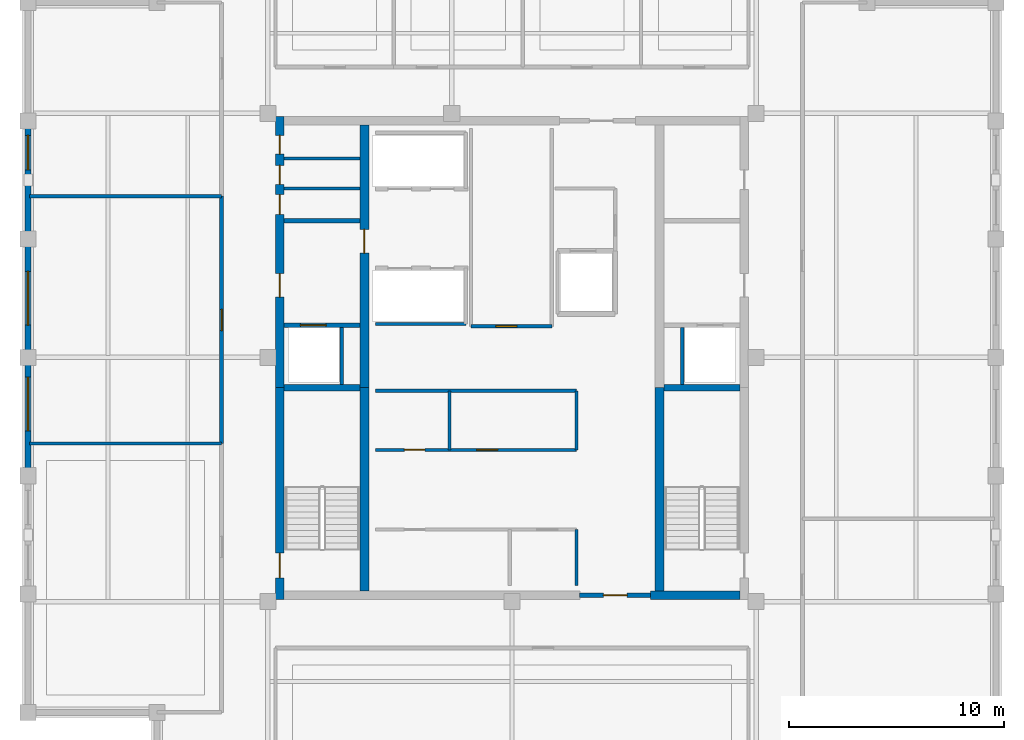
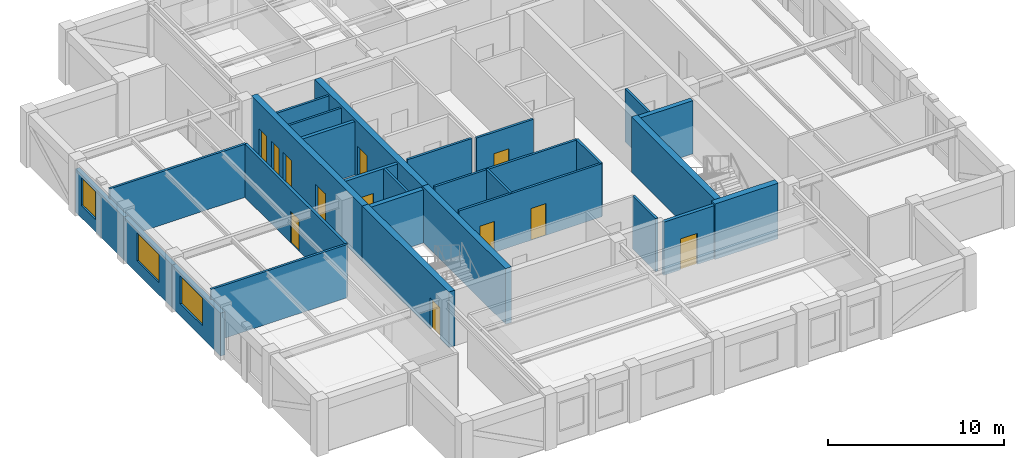
# One storey, part 4 of 9: 28 walls, 12 doors, 3 windows, 15 openings.
"""IFC4 building model written with IfcOpenShell, lengths in metres."""

from ifc_helpers import new_model, si_unit, direction, frame, frame_2d, origin, place, context, subcontext, project, spatial, rectangle, extrude, material, layer, layer_set, type_object, element, fill, save


model = new_model("IFC4")

# Units and contexts
model_context = context("Model", 3, precision=1e-05, world=origin(), true_north=direction((0.0, 1.0)))
body_context = subcontext(model_context, "Body", "Model", "MODEL_VIEW")
ifc_project = project(units=[si_unit("LENGTHUNIT", "METRE"), si_unit("AREAUNIT", "SQUARE_METRE"), si_unit("VOLUMEUNIT", "CUBIC_METRE"), si_unit("PLANEANGLEUNIT", "RADIAN"), si_unit("MASSUNIT", "GRAM", prefix="KILO")], contexts=[model_context])

# Site, building, storey
site_placement = place(None, origin())
site = spatial("IfcSite", under=ifc_project, at=site_placement, CompositionType="ELEMENT")
building_placement = place(site_placement, origin())
building = spatial("IfcBuilding", under=site, at=building_placement, Name="Nhamokura Convention Tower", CompositionType="ELEMENT")
storey_placement = place(building_placement, frame((0.0, 0.0, 273.699951171875)))
storey = spatial("IfcBuildingStorey", under=building, at=storey_placement, Name="L67", CompositionType="ELEMENT", Elevation=273.699951171875)

# Wall
ifc_material_1 = material(Name="Moisture-resistant tile-backer partition", Category="masonry")
ifc_layer_1 = layer(ifc_material_1, 0.139892578125)
ifc_layer_set_1 = layer_set([ifc_layer_1], Name="BathroomWetWall_140")
wall_type_1 = type_object("IfcWallType", Name="BathroomWetWall_140", PredefinedType="STANDARD", material=ifc_layer_set_1)
wall_1_placement = place(storey_placement, frame((21.409912109375, 39.85009765625, 0.0), z_axis=(0.0, 0.0, 1.0), x_axis=(1.0, 0.0, 0.0)))
element("IfcWall", 1, at=wall_1_placement, inside=storey, type_object=wall_type_1, Name="L67 Wall INT-L67-CWNW1", PredefinedType="STANDARD", context=body_context, shape_type="SweptSolid", body=[
    extrude(rectangle(XDim=3.530029296875, YDim=0.139892578125, at=frame_2d((1.76513671875, 0.0))), origin(), (0.0, 0.0, 1.0), 3.68505859375),
])

# Wall, opening, window
ifc_material_2 = material(Name="Bronze-pigmented precast concrete C45/55", Category="concrete")
ifc_layer_2 = layer(ifc_material_2, 0.280029296875)
ifc_layer_set_2 = layer_set([ifc_layer_2], Name="BronzePrecastSpandrel_280")
wall_type_2 = type_object("IfcWallType", Name="BronzePrecastSpandrel_280", PredefinedType="USERDEFINED", material=ifc_layer_set_2)
wall_2_placement = place(storey_placement, frame((9.5, 26.5, 0.0), z_axis=(0.0, 0.0, 1.0), x_axis=(0.0, 1.0, 0.0)))
wall_2 = element("IfcWall", 2, at=wall_2_placement, inside=storey, type_object=wall_type_2, Name="L67 Masonry-Frame Wall WEST 2", ObjectType="SPANDREL_WALL", PredefinedType="USERDEFINED", context=body_context, shape_type="SweptSolid", body=[
    extrude(rectangle(XDim=5.5, YDim=0.280029296875, at=frame_2d((2.75, 0.0))), origin(), (0.0, 0.0, 1.0), 2.985107421875),
])
opening_1_placement = place(wall_2_placement, frame((2.08740234375, 0.0, 0.85009765625)))
opening_1 = element("IfcOpeningElement", 3, at=opening_1_placement, cuts=wall_2, Name="Opening W-09", PredefinedType="OPENING", context=body_context, shape_type="SweptSolid", body=[
    extrude(rectangle(XDim=2.5, YDim=1.93505859375, at=frame_2d((1.25, 0.967529296875))), frame((0.0, 0.14990234375, 0.0), z_axis=(0.0, -1.0, 0.0), x_axis=(1.0, 0.0, 0.0)), (0.0, 0.0, 1.0), 0.300048828125),
])
ifc_material_3 = material(Name="Solar-control bronze low-E double glass", Category="glass")
window_type_1 = type_object("IfcWindowType", Name="SummitWindow_Z4_2500", PartitioningType="DOUBLE_PANEL_VERTICAL", PredefinedType="WINDOW", material=ifc_material_3)
window_1_placement = place(opening_1_placement, origin())
window_1 = element("IfcWindow", 4, at=window_1_placement, inside=storey, type_object=window_type_1, Name="L67 Facade Window WEST 2-2", OverallHeight=1.93505859375, OverallWidth=2.5, PartitioningType="SINGLE_PANEL", PredefinedType="WINDOW", context=body_context, shape_type="SweptSolid", body=[
    extrude(rectangle(XDim=2.5, YDim=1.93505859375, at=frame_2d((1.25, 0.967529296875))), frame((0.0, 0.030029296875, 0.0), z_axis=(0.0, -1.0, 0.0), x_axis=(1.0, 0.0, 0.0)), (0.0, 0.0, 1.0), 0.06005859375),
])
fill(opening_1, window_1)

wall_3_placement = place(storey_placement, frame((9.5, 32.0, 0.0), z_axis=(0.0, 0.0, 1.0), x_axis=(0.0, 1.0, 0.0)))
wall_3 = element("IfcWall", 5, at=wall_3_placement, inside=storey, type_object=wall_type_2, Name="L67 Masonry-Frame Wall WEST 3", ObjectType="SPANDREL_WALL", PredefinedType="USERDEFINED", context=body_context, shape_type="SweptSolid", body=[
    extrude(rectangle(XDim=5.5, YDim=0.280029296875, at=frame_2d((2.75, 0.0))), origin(), (0.0, 0.0, 1.0), 2.985107421875),
])
opening_2_placement = place(wall_3_placement, frame((1.5, 0.0, 0.85009765625)))
opening_2 = element("IfcOpeningElement", 6, at=opening_2_placement, cuts=wall_3, Name="Opening W-09", PredefinedType="OPENING", context=body_context, shape_type="SweptSolid", body=[
    extrude(rectangle(XDim=2.5, YDim=1.93505859375, at=frame_2d((1.25, 0.967529296875))), frame((0.0, 0.14990234375, 0.0), z_axis=(0.0, -1.0, 0.0), x_axis=(1.0, 0.0, 0.0)), (0.0, 0.0, 1.0), 0.300048828125),
])
window_2_placement = place(opening_2_placement, origin())
window_2 = element("IfcWindow", 7, at=window_2_placement, inside=storey, type_object=window_type_1, Name="L67 Facade Window WEST 3", OverallHeight=1.93505859375, OverallWidth=2.5, PartitioningType="SINGLE_PANEL", PredefinedType="WINDOW", context=body_context, shape_type="SweptSolid", body=[
    extrude(rectangle(XDim=2.5, YDim=1.93505859375, at=frame_2d((1.25, 0.967529296875))), frame((0.0, 0.030029296875, 0.0), z_axis=(0.0, -1.0, 0.0), x_axis=(1.0, 0.0, 0.0)), (0.0, 0.0, 1.0), 0.06005859375),
])
fill(opening_2, window_2)

wall_4_placement = place(storey_placement, frame((9.5, 37.5, 0.0), z_axis=(0.0, 0.0, 1.0), x_axis=(0.0, 1.0, 0.0)))
wall_4 = element("IfcWall", 8, at=wall_4_placement, inside=storey, type_object=wall_type_2, Name="L67 Masonry-Frame Wall WEST 4", ObjectType="SPANDREL_WALL", PredefinedType="USERDEFINED", context=body_context, shape_type="SweptSolid", body=[
    extrude(rectangle(XDim=5.5, YDim=0.280029296875, at=frame_2d((2.75, 0.0))), origin(), (0.0, 0.0, 1.0), 2.985107421875),
])
opening_3_placement = place(wall_4_placement, frame((3.22509765625, 0.0, 0.85009765625)))
opening_3 = element("IfcOpeningElement", 9, at=opening_3_placement, cuts=wall_4, Name="Opening W-11", PredefinedType="OPENING", context=body_context, shape_type="SweptSolid", body=[
    extrude(rectangle(XDim=1.60009765625, YDim=1.93505859375, at=frame_2d((0.800048828125, 0.967529296875))), frame((0.0, 0.14990234375, 0.0), z_axis=(0.0, -1.0, 0.0), x_axis=(1.0, 0.0, 0.0)), (0.0, 0.0, 1.0), 0.300048828125),
])
ifc_material_4 = material(Name="Solar-control bronze low-E double glass", Category="glass")
window_type_2 = type_object("IfcWindowType", Name="NotchCornerWindow_1600", PartitioningType="SINGLE_PANEL", PredefinedType="WINDOW", material=ifc_material_4)
window_3_placement = place(opening_3_placement, origin())
window_3 = element("IfcWindow", 10, at=window_3_placement, inside=storey, type_object=window_type_2, Name="L67 Facade Window WEST 4-2", OverallHeight=1.93505859375, OverallWidth=1.60009765625, PartitioningType="SINGLE_PANEL", PredefinedType="WINDOW", context=body_context, shape_type="SweptSolid", body=[
    extrude(rectangle(XDim=1.60009765625, YDim=1.93505859375, at=frame_2d((0.800048828125, 0.967529296875))), frame((0.0, 0.030029296875, 0.0), z_axis=(0.0, -1.0, 0.0), x_axis=(1.0, 0.0, 0.0)), (0.0, 0.0, 1.0), 0.06005859375),
])
fill(opening_3, window_3)

# Wall, opening, door
ifc_material_5 = material(Name="Concrete C50/60", Category="concrete")
ifc_layer_3 = layer(ifc_material_5, 0.39990234375)
ifc_layer_set_3 = layer_set([ifc_layer_3], Name="CoreShearWall_400")
wall_type_3 = type_object("IfcWallType", Name="CoreShearWall_400", PredefinedType="SHEAR", material=ifc_layer_set_3)
wall_5_placement = place(storey_placement, frame((21.2099609375, 20.75, 0.0), z_axis=(0.0, 0.0, 1.0), x_axis=(0.0, 1.0, 0.0)))
wall_5 = element("IfcWall", 11, at=wall_5_placement, inside=storey, type_object=wall_type_3, Name="L67 Core Shear Wall CW-WS", PredefinedType="SHEAR", context=body_context, shape_type="SweptSolid", body=[
    extrude(rectangle(XDim=9.85009765625, YDim=0.39990234375, at=frame_2d((4.925048828125, 0.0))), origin(), (0.0, 0.0, 1.0), 3.85009765625),
])
opening_4_placement = place(wall_5_placement, frame((1.0, 0.0, 0.0)))
opening_4 = element("IfcOpeningElement", 12, at=opening_4_placement, cuts=wall_5, Name="Opening D-04", PredefinedType="OPENING", context=body_context, shape_type="SweptSolid", body=[
    extrude(rectangle(XDim=1.14990234375, YDim=2.14990234375, at=frame_2d((0.574951171875, 1.074951171875))), frame((0.0, 0.2099609375, 0.0), z_axis=(0.0, -1.0, 0.0), x_axis=(1.0, 0.0, 0.0)), (0.0, 0.0, 1.0), 0.419921875),
])
ifc_material_6 = material(Name="Fire-rated steel door", Category="steel")
door_type_1 = type_object("IfcDoorType", Name="StairSmokeDoor_1150", OperationType="NOTDEFINED", PredefinedType="DOOR", material=ifc_material_6)
door_1_placement = place(opening_4_placement, origin())
door_1 = element("IfcDoor", 13, at=door_1_placement, inside=storey, type_object=door_type_1, Name="L67 Core Door INT-L67-D-ST01", OperationType="SINGLE_SWING_LEFT", OverallHeight=2.14990234375, OverallWidth=1.14990234375, PredefinedType="DOOR", context=body_context, shape_type="SweptSolid", body=[
    extrude(rectangle(XDim=1.14990234375, YDim=2.14990234375, at=frame_2d((0.574951171875, 1.074951171875))), frame((0.0, 0.02490234375, 0.0), z_axis=(0.0, -1.0, 0.0), x_axis=(1.0, 0.0, 0.0)), (0.0, 0.0, 1.0), 0.050048828125),
])
fill(opening_4, door_1)

# Wall, openings, doors
wall_6_placement = place(storey_placement, frame((21.2099609375, 30.60009765625, 0.0), z_axis=(0.0, 0.0, 1.0), x_axis=(0.0, 1.0, 0.0)))
wall_6 = element("IfcWall", 14, at=wall_6_placement, inside=storey, type_object=wall_type_3, Name="L67 Core Shear Wall CW-WN", PredefinedType="SHEAR", context=body_context, shape_type="SweptSolid", body=[
    extrude(rectangle(XDim=12.599853515625, YDim=0.39990234375, at=frame_2d((6.2998046875, 0.0))), origin(), (0.0, 0.0, 1.0), 3.85009765625),
])
opening_5_placement = place(wall_6_placement, frame((4.199951171875, 0.0, 0.0)))
opening_5 = element("IfcOpeningElement", 15, at=opening_5_placement, cuts=wall_6, Name="Opening D-05", PredefinedType="OPENING", context=body_context, shape_type="SweptSolid", body=[
    extrude(rectangle(XDim=1.10009765625, YDim=2.14990234375, at=frame_2d((0.550048828125, 1.074951171875))), frame((0.0, 0.2099609375, 0.0), z_axis=(0.0, -1.0, 0.0), x_axis=(1.0, 0.0, 0.0)), (0.0, 0.0, 1.0), 0.419921875),
])
opening_6_placement = place(wall_6_placement, frame((8.050048828125, 0.0, 0.0)))
opening_6 = element("IfcOpeningElement", 16, at=opening_6_placement, cuts=wall_6, Name="Opening D-10", PredefinedType="OPENING", context=body_context, shape_type="SweptSolid", body=[
    extrude(rectangle(XDim=0.919921875, YDim=2.10009765625, at=frame_2d((0.4599609375, 1.050048828125))), frame((0.0, 0.2099609375, 0.0), z_axis=(0.0, -1.0, 0.0), x_axis=(1.0, 0.0, 0.0)), (0.0, 0.0, 1.0), 0.419921875),
])
opening_7_placement = place(wall_6_placement, frame((9.449951171875, 0.0, 0.0)))
opening_7 = element("IfcOpeningElement", 17, at=opening_7_placement, cuts=wall_6, Name="Opening D-11", PredefinedType="OPENING", context=body_context, shape_type="SweptSolid", body=[
    extrude(rectangle(XDim=0.8798828125, YDim=2.10009765625, at=frame_2d((0.43994140625, 1.050048828125))), frame((0.0, 0.2099609375, 0.0), z_axis=(0.0, -1.0, 0.0), x_axis=(1.0, 0.0, 0.0)), (0.0, 0.0, 1.0), 0.419921875),
])
opening_8_placement = place(wall_6_placement, frame((10.85009765625, 0.0, 0.0)))
opening_8 = element("IfcOpeningElement", 18, at=opening_8_placement, cuts=wall_6, Name="Opening D-11", PredefinedType="OPENING", context=body_context, shape_type="SweptSolid", body=[
    extrude(rectangle(XDim=0.8798828125, YDim=2.10009765625, at=frame_2d((0.43994140625, 1.050048828125))), frame((0.0, 0.2099609375, 0.0), z_axis=(0.0, -1.0, 0.0), x_axis=(1.0, 0.0, 0.0)), (0.0, 0.0, 1.0), 0.419921875),
])
ifc_material_7 = material(Name="Solid oak hardwood", Category="wood")
door_type_2 = type_object("IfcDoorType", Name="AccessibleWCDoor_920", OperationType="NOTDEFINED", PredefinedType="DOOR", material=ifc_material_7)
door_2_placement = place(opening_6_placement, origin())
door_2 = element("IfcDoor", 19, at=door_2_placement, inside=storey, type_object=door_type_2, Name="L67 Core Door INT-L67-D-AWC", OperationType="SINGLE_SWING_LEFT", OverallHeight=2.10009765625, OverallWidth=0.919921875, PredefinedType="DOOR", context=body_context, shape_type="SweptSolid", body=[
    extrude(rectangle(XDim=0.919921875, YDim=2.10009765625, at=frame_2d((0.4599609375, 1.050048828125))), frame((0.0, 0.02490234375, 0.0), z_axis=(0.0, -1.0, 0.0), x_axis=(1.0, 0.0, 0.0)), (0.0, 0.0, 1.0), 0.050048828125),
])
fill(opening_6, door_2)
ifc_material_8 = material(Name="Solid oak hardwood", Category="wood")
door_type_3 = type_object("IfcDoorType", Name="BathroomDoor_880", OperationType="NOTDEFINED", PredefinedType="DOOR", material=ifc_material_8)
door_3_placement = place(opening_7_placement, origin())
door_3 = element("IfcDoor", 20, at=door_3_placement, inside=storey, type_object=door_type_3, Name="L67 Core Door INT-L67-D-CLN", OperationType="SINGLE_SWING_RIGHT", OverallHeight=2.10009765625, OverallWidth=0.8798828125, PredefinedType="DOOR", context=body_context, shape_type="SweptSolid", body=[
    extrude(rectangle(XDim=0.8798828125, YDim=2.10009765625, at=frame_2d((0.43994140625, 1.050048828125))), frame((0.0, 0.02490234375, 0.0), z_axis=(0.0, -1.0, 0.0), x_axis=(1.0, 0.0, 0.0)), (0.0, 0.0, 1.0), 0.050048828125),
])
fill(opening_7, door_3)
door_4_placement = place(opening_8_placement, origin())
door_4 = element("IfcDoor", 21, at=door_4_placement, inside=storey, type_object=door_type_3, Name="L67 Core Door INT-L67-D-PNT", OperationType="SINGLE_SWING_LEFT", OverallHeight=2.10009765625, OverallWidth=0.8798828125, PredefinedType="DOOR", context=body_context, shape_type="SweptSolid", body=[
    extrude(rectangle(XDim=0.8798828125, YDim=2.10009765625, at=frame_2d((0.43994140625, 1.050048828125))), frame((0.0, 0.02490234375, 0.0), z_axis=(0.0, -1.0, 0.0), x_axis=(1.0, 0.0, 0.0)), (0.0, 0.0, 1.0), 0.050048828125),
])
fill(opening_8, door_4)
ifc_material_9 = material(Name="Fire-rated steel door", Category="steel")
door_type_4 = type_object("IfcDoorType", Name="FireLobbyDoor_1100", OperationType="NOTDEFINED", PredefinedType="DOOR", material=ifc_material_9)
door_5_placement = place(opening_5_placement, origin())
door_5 = element("IfcDoor", 22, at=door_5_placement, inside=storey, type_object=door_type_4, Name="L67 Core Door INT-L67-D-FFLW", OperationType="SINGLE_SWING_RIGHT", OverallHeight=2.14990234375, OverallWidth=1.10009765625, PredefinedType="DOOR", context=body_context, shape_type="SweptSolid", body=[
    extrude(rectangle(XDim=1.10009765625, YDim=2.14990234375, at=frame_2d((0.550048828125, 1.074951171875))), frame((0.0, 0.02490234375, 0.0), z_axis=(0.0, -1.0, 0.0), x_axis=(1.0, 0.0, 0.0)), (0.0, 0.0, 1.0), 0.050048828125),
])
fill(opening_5, door_5)

# Walls
wall_7_placement = place(storey_placement, frame((38.449951171875, 20.949951171875, 0.0), z_axis=(0.0, 0.0, 1.0), x_axis=(1.0, 0.0, 0.0)))
element("IfcWall", 23, at=wall_7_placement, inside=storey, type_object=wall_type_3, Name="L67 Core Shear Wall CW-S2", PredefinedType="SHEAR", context=body_context, shape_type="SweptSolid", body=[
    extrude(rectangle(XDim=4.14013671875, YDim=0.39990234375, at=frame_2d((2.070068359375, 0.0))), origin(), (0.0, 0.0, 1.0), 3.85009765625),
])
wall_8_placement = place(storey_placement, frame((25.139892578125, 21.14990234375, 0.0), z_axis=(0.0, 0.0, 1.0), x_axis=(0.0, 1.0, 0.0)))
element("IfcWall", 24, at=wall_8_placement, inside=storey, type_object=wall_type_3, Name="L67 Core Shear Wall CW-IWS", PredefinedType="SHEAR", context=body_context, shape_type="SweptSolid", body=[
    extrude(rectangle(XDim=9.4501953125, YDim=0.39990234375, at=frame_2d((4.72509765625, 0.0))), origin(), (0.0, 0.0, 1.0), 3.85009765625),
])

# Wall, opening, door
wall_9_placement = place(storey_placement, frame((25.139892578125, 30.60009765625, 0.0), z_axis=(0.0, 0.0, 1.0), x_axis=(0.0, 1.0, 0.0)))
wall_9 = element("IfcWall", 25, at=wall_9_placement, inside=storey, type_object=wall_type_3, Name="L67 Core Shear Wall CW-IWN", PredefinedType="SHEAR", context=body_context, shape_type="SweptSolid", body=[
    extrude(rectangle(XDim=12.199951171875, YDim=0.39990234375, at=frame_2d((6.10009765625, 0.0))), origin(), (0.0, 0.0, 1.0), 3.85009765625),
])
opening_9_placement = place(wall_9_placement, frame((6.25, 0.0, 0.0)))
opening_9 = element("IfcOpeningElement", 26, at=opening_9_placement, cuts=wall_9, Name="Opening D-05", PredefinedType="OPENING", context=body_context, shape_type="SweptSolid", body=[
    extrude(rectangle(XDim=1.10009765625, YDim=2.14990234375, at=frame_2d((0.550048828125, 1.074951171875))), frame((0.0, 0.2099609375, 0.0), z_axis=(0.0, -1.0, 0.0), x_axis=(1.0, 0.0, 0.0)), (0.0, 0.0, 1.0), 0.419921875),
])
door_6_placement = place(opening_9_placement, origin())
door_6 = element("IfcDoor", 27, at=door_6_placement, inside=storey, type_object=door_type_4, Name="L67 Core Door INT-L67-D-B3LOB", OperationType="SINGLE_SWING_LEFT", OverallHeight=2.14990234375, OverallWidth=1.10009765625, PredefinedType="DOOR", context=body_context, shape_type="SweptSolid", body=[
    extrude(rectangle(XDim=1.10009765625, YDim=2.14990234375, at=frame_2d((0.550048828125, 1.074951171875))), frame((0.0, 0.02490234375, 0.0), z_axis=(0.0, -1.0, 0.0), x_axis=(1.0, 0.0, 0.0)), (0.0, 0.0, 1.0), 0.050048828125),
])
fill(opening_9, door_6)

# Wall
wall_10_placement = place(storey_placement, frame((38.860107421875, 21.14990234375, 0.0), z_axis=(0.0, 0.0, 1.0), x_axis=(0.0, 1.0, 0.0)))
element("IfcWall", 28, at=wall_10_placement, inside=storey, type_object=wall_type_3, Name="L67 Core Shear Wall CW-IES", PredefinedType="SHEAR", context=body_context, shape_type="SweptSolid", body=[
    extrude(rectangle(XDim=9.4501953125, YDim=0.39990234375, at=frame_2d((4.72509765625, 0.0))), origin(), (0.0, 0.0, 1.0), 3.85009765625),
])

# Wall, opening, door
ifc_material_10 = material(Name="Fire-rated gypsum and masonry partition", Category="masonry")
ifc_layer_4 = layer(ifc_material_10, 0.179931640625)
ifc_layer_set_4 = layer_set([ifc_layer_4], Name="CorridorRatedWall_180")
wall_type_4 = type_object("IfcWallType", Name="CorridorRatedWall_180", PredefinedType="STANDARD", material=ifc_layer_set_4)
wall_11_placement = place(storey_placement, frame((18.5, 28.0, 0.0), z_axis=(0.0, 0.0, 1.0), x_axis=(0.0, 1.0, 0.0)))
wall_11 = element("IfcWall", 29, at=wall_11_placement, inside=storey, type_object=wall_type_4, Name="L67 Wall INT-L67-CW-W01", PredefinedType="STANDARD", context=body_context, shape_type="SweptSolid", body=[
    extrude(rectangle(XDim=11.5, YDim=0.179931640625, at=frame_2d((5.75, 0.0))), origin(), (0.0, 0.0, 1.0), 3.68505859375),
])
opening_10_placement = place(wall_11_placement, frame((5.25, 0.0, 0.0)))
opening_10 = element("IfcOpeningElement", 30, at=opening_10_placement, cuts=wall_11, Name="Opening D-08", PredefinedType="OPENING", context=body_context, shape_type="SweptSolid", body=[
    extrude(rectangle(XDim=0.97998046875, YDim=2.199951171875, at=frame_2d((0.489990234375, 1.10009765625))), frame((0.0, 0.099853515625, 0.0), z_axis=(0.0, -1.0, 0.0), x_axis=(1.0, 0.0, 0.0)), (0.0, 0.0, 1.0), 0.199951171875),
])
ifc_material_11 = material(Name="Solid oak hardwood", Category="wood")
door_type_5 = type_object("IfcDoorType", Name="OfficeEntryDoor_980", OperationType="NOTDEFINED", PredefinedType="DOOR", material=ifc_material_11)
door_7_placement = place(opening_10_placement, origin())
door_7 = element("IfcDoor", 31, at=door_7_placement, inside=storey, type_object=door_type_5, Name="L67 Private Office W02 Door", OperationType="SINGLE_SWING_RIGHT", OverallHeight=2.199951171875, OverallWidth=0.97998046875, PredefinedType="DOOR", context=body_context, shape_type="SweptSolid", body=[
    extrude(rectangle(XDim=0.97998046875, YDim=2.199951171875, at=frame_2d((0.489990234375, 1.10009765625))), frame((0.0, 0.02490234375, 0.0), z_axis=(0.0, -1.0, 0.0), x_axis=(1.0, 0.0, 0.0)), (0.0, 0.0, 1.0), 0.050048828125),
])
fill(opening_10, door_7)

ifc_material_12 = material(Name="Autoclaved concrete blockwork", Category="masonry")
ifc_layer_5 = layer(ifc_material_12, 0.219970703125)
ifc_layer_set_5 = layer_set([ifc_layer_5], Name="FireLobbyWall_220")
wall_type_5 = type_object("IfcWallType", Name="FireLobbyWall_220", PredefinedType="STANDARD", material=ifc_layer_set_5)
wall_12_placement = place(storey_placement, frame((21.409912109375, 33.5, 0.0), z_axis=(0.0, 0.0, 1.0), x_axis=(1.0, 0.0, 0.0)))
wall_12 = element("IfcWall", 32, at=wall_12_placement, inside=storey, type_object=wall_type_5, Name="L67 Wall INT-L67-FFW-S", PredefinedType="STANDARD", context=body_context, shape_type="SweptSolid", body=[
    extrude(rectangle(XDim=3.530029296875, YDim=0.219970703125, at=frame_2d((1.76513671875, 0.0))), origin(), (0.0, 0.0, 1.0), 3.68505859375),
])
opening_11_placement = place(wall_12_placement, frame((0.75, 0.0, 0.0)))
opening_11 = element("IfcOpeningElement", 33, at=opening_11_placement, cuts=wall_12, Name="Opening LD-02", PredefinedType="OPENING", context=body_context, shape_type="SweptSolid", body=[
    extrude(rectangle(XDim=1.199951171875, YDim=2.199951171875, at=frame_2d((0.60009765625, 1.10009765625))), frame((0.0, 0.119873046875, 0.0), z_axis=(0.0, -1.0, 0.0), x_axis=(1.0, 0.0, 0.0)), (0.0, 0.0, 1.0), 0.239990234375),
])
ifc_material_13 = material(Name="Anodised bronze stainless steel", Category="steel")
door_type_6 = type_object("IfcDoorType", Name="LiftLandingDoor_FireService", OperationType="DOUBLE_DOOR_SLIDING", PredefinedType="DOOR", material=ifc_material_13)
door_8_placement = place(opening_11_placement, origin())
door_8 = element("IfcDoor", 34, at=door_8_placement, inside=storey, type_object=door_type_6, Name="L67 Firefighting Lift LF-01 Door", OperationType="DOUBLE_DOOR_SLIDING", OverallHeight=2.199951171875, OverallWidth=1.199951171875, PredefinedType="DOOR", context=body_context, shape_type="SweptSolid", body=[
    extrude(rectangle(XDim=1.199951171875, YDim=2.199951171875, at=frame_2d((0.60009765625, 1.10009765625))), frame((0.0, 0.02490234375, 0.0), z_axis=(0.0, -1.0, 0.0), x_axis=(1.0, 0.0, 0.0)), (0.0, 0.0, 1.0), 0.050048828125),
])
fill(opening_11, door_8)

# Wall
wall_13_placement = place(storey_placement, frame((21.409912109375, 38.35009765625, 0.0), z_axis=(0.0, 0.0, 1.0), x_axis=(1.0, 0.0, 0.0)))
element("IfcWall", 35, at=wall_13_placement, inside=storey, type_object=wall_type_5, Name="L67 Wall INT-L67-FFW-N", PredefinedType="STANDARD", context=body_context, shape_type="SweptSolid", body=[
    extrude(rectangle(XDim=3.530029296875, YDim=0.219970703125, at=frame_2d((1.76513671875, 0.0))), origin(), (0.0, 0.0, 1.0), 3.68505859375),
])

# Wall, opening, door
wall_14_placement = place(storey_placement, frame((35.14990234375, 20.949951171875, 0.0), z_axis=(0.0, 0.0, 1.0), x_axis=(1.0, 0.0, 0.0)))
wall_14 = element("IfcWall", 36, at=wall_14_placement, inside=storey, type_object=wall_type_5, Name="L67 Wall INT-L67-SPORT-S", PredefinedType="STANDARD", context=body_context, shape_type="SweptSolid", body=[
    extrude(rectangle(XDim=3.300048828125, YDim=0.219970703125, at=frame_2d((1.64990234375, 0.0))), origin(), (0.0, 0.0, 1.0), 3.68505859375),
])
opening_12_placement = place(wall_14_placement, frame((1.10009765625, 0.0, 0.0)))
opening_12 = element("IfcOpeningElement", 37, at=opening_12_placement, cuts=wall_14, Name="Opening D-05", PredefinedType="OPENING", context=body_context, shape_type="SweptSolid", body=[
    extrude(rectangle(XDim=1.10009765625, YDim=2.14990234375, at=frame_2d((0.550048828125, 1.074951171875))), frame((0.0, 0.119873046875, 0.0), z_axis=(0.0, -1.0, 0.0), x_axis=(1.0, 0.0, 0.0)), (0.0, 0.0, 1.0), 0.239990234375),
])
door_9_placement = place(opening_12_placement, origin())
door_9 = element("IfcDoor", 38, at=door_9_placement, inside=storey, type_object=door_type_4, Name="L67 South Core Lobby Portal Door", OperationType="SINGLE_SWING_LEFT", OverallHeight=2.14990234375, OverallWidth=1.10009765625, PredefinedType="DOOR", context=body_context, shape_type="SweptSolid", body=[
    extrude(rectangle(XDim=1.10009765625, YDim=2.14990234375, at=frame_2d((0.550048828125, 1.074951171875))), frame((0.0, 0.02490234375, 0.0), z_axis=(0.0, -1.0, 0.0), x_axis=(1.0, 0.0, 0.0)), (0.0, 0.0, 1.0), 0.050048828125),
])
fill(opening_12, door_9)

# Walls
ifc_material_14 = material(Name="Acoustic gypsum stud partition", Category="masonry")
ifc_layer_6 = layer(ifc_material_14, 0.14990234375)
ifc_layer_set_6 = layer_set([ifc_layer_6], Name="InteriorPartition_150")
wall_type_6 = type_object("IfcWallType", Name="InteriorPartition_150", PredefinedType="STANDARD", material=ifc_layer_set_6)
for number, where, z_axis, x_axis, name in (
    (39, (24.080078125, 30.75, 0.0), (0.0, 0.0, 1.0), (0.0, 1.0, 0.0), "L67 Wall INT-L67-FF1-E"),
    (40, (39.919921875, 30.75, 0.0), (0.0, 0.0, 1.0), (0.0, 1.0, 0.0), "L67 Wall INT-L67-FF2-W"),
):
    element("IfcWall", number, at=place(storey_placement, frame(where, z_axis=z_axis, x_axis=x_axis)), inside=storey, type_object=wall_type_6, Name=name, PredefinedType="STANDARD", context=body_context, shape_type="SweptSolid", body=[
        extrude(rectangle(XDim=2.64990234375, YDim=0.14990234375, at=frame_2d((1.324951171875, 0.0))), origin(), (0.0, 0.0, 1.0), 3.68505859375),
    ])
wall_15_placement = place(storey_placement, frame((21.409912109375, 41.25, 0.0), z_axis=(0.0, 0.0, 1.0), x_axis=(1.0, 0.0, 0.0)))
element("IfcWall", 41, at=wall_15_placement, inside=storey, type_object=wall_type_6, Name="L67 Wall INT-L67-CWNW2", PredefinedType="STANDARD", context=body_context, shape_type="SweptSolid", body=[
    extrude(rectangle(XDim=3.530029296875, YDim=0.14990234375, at=frame_2d((1.76513671875, 0.0))), origin(), (0.0, 0.0, 1.0), 3.68505859375),
])
wall_16_placement = place(storey_placement, frame((35.0, 21.39990234375, 0.0), z_axis=(0.0, 0.0, 1.0), x_axis=(0.0, 1.0, 0.0)))
element("IfcWall", 42, at=wall_16_placement, inside=storey, type_object=wall_type_6, Name="L67 Wall INT-L67-B1R-E", PredefinedType="STANDARD", context=body_context, shape_type="SweptSolid", body=[
    extrude(rectangle(XDim=2.60009765625, YDim=0.14990234375, at=frame_2d((1.300048828125, 0.0))), origin(), (0.0, 0.0, 1.0), 3.68505859375),
])

# Wall, openings, doors
wall_17_placement = place(storey_placement, frame((25.64990234375, 27.699951171875, 0.0), z_axis=(0.0, 0.0, 1.0), x_axis=(1.0, 0.0, 0.0)))
wall_17 = element("IfcWall", 43, at=wall_17_placement, inside=storey, type_object=wall_type_6, Name="L67 Wall INT-L67-B2R-S", PredefinedType="STANDARD", context=body_context, shape_type="SweptSolid", body=[
    extrude(rectangle(XDim=9.35009765625, YDim=0.14990234375, at=frame_2d((4.675048828125, 0.0))), origin(), (0.0, 0.0, 1.0), 3.68505859375),
])
opening_13_placement = place(wall_17_placement, frame((1.35009765625, 0.0, 0.0)))
opening_13 = element("IfcOpeningElement", 44, at=opening_13_placement, cuts=wall_17, Name="Opening D-09", PredefinedType="OPENING", context=body_context, shape_type="SweptSolid", body=[
    extrude(rectangle(XDim=0.949951171875, YDim=2.14990234375, at=frame_2d((0.47509765625, 1.074951171875))), frame((0.0, 0.0849609375, 0.0), z_axis=(0.0, -1.0, 0.0), x_axis=(1.0, 0.0, 0.0)), (0.0, 0.0, 1.0), 0.169921875),
])
opening_14_placement = place(wall_17_placement, frame((4.699951171875, 0.0, 0.0)))
opening_14 = element("IfcOpeningElement", 45, at=opening_14_placement, cuts=wall_17, Name="Opening D-08", PredefinedType="OPENING", context=body_context, shape_type="SweptSolid", body=[
    extrude(rectangle(XDim=0.97998046875, YDim=2.199951171875, at=frame_2d((0.489990234375, 1.10009765625))), frame((0.0, 0.0849609375, 0.0), z_axis=(0.0, -1.0, 0.0), x_axis=(1.0, 0.0, 0.0)), (0.0, 0.0, 1.0), 0.169921875),
])
ifc_material_15 = material(Name="Solid oak hardwood", Category="wood")
door_type_7 = type_object("IfcDoorType", Name="MeetingRoomDoor_950", OperationType="NOTDEFINED", PredefinedType="DOOR", material=ifc_material_15)
door_10_placement = place(opening_13_placement, origin())
door_10 = element("IfcDoor", 46, at=door_10_placement, inside=storey, type_object=door_type_7, Name="L67 Caucus Suite Door", OperationType="SINGLE_SWING_RIGHT", OverallHeight=2.14990234375, OverallWidth=0.949951171875, PredefinedType="DOOR", context=body_context, shape_type="SweptSolid", body=[
    extrude(rectangle(XDim=0.949951171875, YDim=2.14990234375, at=frame_2d((0.47509765625, 1.074951171875))), frame((0.0, 0.02490234375, 0.0), z_axis=(0.0, -1.0, 0.0), x_axis=(1.0, 0.0, 0.0)), (0.0, 0.0, 1.0), 0.050048828125),
])
fill(opening_13, door_10)
door_11_placement = place(opening_14_placement, origin())
door_11 = element("IfcDoor", 47, at=door_11_placement, inside=storey, type_object=door_type_5, Name="L67 Summit Pantry Door", OperationType="SINGLE_SWING_LEFT", OverallHeight=2.199951171875, OverallWidth=0.97998046875, PredefinedType="DOOR", context=body_context, shape_type="SweptSolid", body=[
    extrude(rectangle(XDim=0.97998046875, YDim=2.199951171875, at=frame_2d((0.489990234375, 1.10009765625))), frame((0.0, 0.02490234375, 0.0), z_axis=(0.0, -1.0, 0.0), x_axis=(1.0, 0.0, 0.0)), (0.0, 0.0, 1.0), 0.050048828125),
])
fill(opening_14, door_11)

# Walls
wall_18_placement = place(storey_placement, frame((25.64990234375, 30.449951171875, 0.0), z_axis=(0.0, 0.0, 1.0), x_axis=(1.0, 0.0, 0.0)))
element("IfcWall", 48, at=wall_18_placement, inside=storey, type_object=wall_type_6, Name="L67 Wall INT-L67-B2R-N", PredefinedType="STANDARD", context=body_context, shape_type="SweptSolid", body=[
    extrude(rectangle(XDim=9.35009765625, YDim=0.14990234375, at=frame_2d((4.675048828125, 0.0))), origin(), (0.0, 0.0, 1.0), 3.68505859375),
])
for number, where, z_axis, x_axis, name in (
    (49, (29.10009765625, 27.699951171875, 0.0), (0.0, 0.0, 1.0), (0.0, 1.0, 0.0), "L67 Wall INT-L67-B2R-M"),
    (50, (35.0, 27.699951171875, 0.0), (0.0, 0.0, 1.0), (0.0, 1.0, 0.0), "L67 Wall INT-L67-B2R-E"),
):
    element("IfcWall", number, at=place(storey_placement, frame(where, z_axis=z_axis, x_axis=x_axis)), inside=storey, type_object=wall_type_6, Name=name, PredefinedType="STANDARD", context=body_context, shape_type="SweptSolid", body=[
        extrude(rectangle(XDim=2.75, YDim=0.14990234375, at=frame_2d((1.375, 0.0))), origin(), (0.0, 0.0, 1.0), 3.68505859375),
    ])
wall_19_placement = place(storey_placement, frame((25.64990234375, 33.550048828125, 0.0), z_axis=(0.0, 0.0, 1.0), x_axis=(1.0, 0.0, 0.0)))
element("IfcWall", 51, at=wall_19_placement, inside=storey, type_object=wall_type_6, Name="L67 Wall INT-L67-B3A-S", PredefinedType="STANDARD", context=body_context, shape_type="SweptSolid", body=[
    extrude(rectangle(XDim=4.2001953125, YDim=0.14990234375, at=frame_2d((2.10009765625, 0.0))), origin(), (0.0, 0.0, 1.0), 3.68505859375),
])

# Wall, opening, door
wall_20_placement = place(storey_placement, frame((30.10009765625, 33.449951171875, 0.0), z_axis=(0.0, 0.0, 1.0), x_axis=(1.0, 0.0, 0.0)))
wall_20 = element("IfcWall", 52, at=wall_20_placement, inside=storey, type_object=wall_type_6, Name="L67 Wall INT-L67-ST03S", PredefinedType="STANDARD", context=body_context, shape_type="SweptSolid", body=[
    extrude(rectangle(XDim=3.75, YDim=0.14990234375, at=frame_2d((1.875, 0.0))), origin(), (0.0, 0.0, 1.0), 3.68505859375),
])
opening_15_placement = place(wall_20_placement, frame((1.14990234375, 0.0, 0.0)))
opening_15 = element("IfcOpeningElement", 53, at=opening_15_placement, cuts=wall_20, Name="Opening D-08", PredefinedType="OPENING", context=body_context, shape_type="SweptSolid", body=[
    extrude(rectangle(XDim=0.97998046875, YDim=2.199951171875, at=frame_2d((0.489990234375, 1.10009765625))), frame((0.0, 0.0849609375, 0.0), z_axis=(0.0, -1.0, 0.0), x_axis=(1.0, 0.0, 0.0)), (0.0, 0.0, 1.0), 0.169921875),
])
door_12_placement = place(opening_15_placement, origin())
door_12 = element("IfcDoor", 54, at=door_12_placement, inside=storey, type_object=door_type_5, Name="L67 Wellness and Records Room Door", OperationType="SINGLE_SWING_RIGHT", OverallHeight=2.199951171875, OverallWidth=0.97998046875, PredefinedType="DOOR", context=body_context, shape_type="SweptSolid", body=[
    extrude(rectangle(XDim=0.97998046875, YDim=2.199951171875, at=frame_2d((0.489990234375, 1.10009765625))), frame((0.0, 0.02490234375, 0.0), z_axis=(0.0, -1.0, 0.0), x_axis=(1.0, 0.0, 0.0)), (0.0, 0.0, 1.0), 0.050048828125),
])
fill(opening_15, door_12)

# Walls
for number, where, z_axis, x_axis, name in (
    (55, (9.56005859375, 28.0, 0.0), (0.0, 0.0, 1.0), (1.0, 0.0, 0.0), "L67 Wall INT-L67-RW-W01"),
    (56, (9.56005859375, 39.5, 0.0), (0.0, 0.0, 1.0), (1.0, 0.0, 0.0), "L67 Wall INT-L67-RW-W02"),
):
    element("IfcWall", number, at=place(storey_placement, frame(where, z_axis=z_axis, x_axis=x_axis)), inside=storey, type_object=wall_type_6, Name=name, PredefinedType="STANDARD", context=body_context, shape_type="SweptSolid", body=[
        extrude(rectangle(XDim=8.93994140625, YDim=0.14990234375, at=frame_2d((4.469970703125, 0.0))), origin(), (0.0, 0.0, 1.0), 3.68505859375),
    ])
ifc_material_16 = material(Name="Concrete C50/60", Category="concrete")
ifc_layer_7 = layer(ifc_material_16, 0.300048828125)
ifc_layer_set_7 = layer_set([ifc_layer_7], Name="ShaftEnclosureWall_300")
wall_type_7 = type_object("IfcWallType", Name="ShaftEnclosureWall_300", PredefinedType="SHEAR", material=ifc_layer_set_7)
for number, where, z_axis, x_axis, name in (
    (57, (21.409912109375, 30.60009765625, 0.0), (0.0, 0.0, 1.0), (1.0, 0.0, 0.0), "L67 Wall INT-L67-ST01-N"),
    (58, (39.06005859375, 30.60009765625, 0.0), (0.0, 0.0, 1.0), (1.0, 0.0, 0.0), "L67 Wall INT-L67-ST02-N"),
):
    element("IfcWall", number, at=place(storey_placement, frame(where, z_axis=z_axis, x_axis=x_axis)), inside=storey, type_object=wall_type_7, Name=name, PredefinedType="SHEAR", context=body_context, shape_type="SweptSolid", body=[
        extrude(rectangle(XDim=3.530029296875, YDim=0.300048828125, at=frame_2d((1.76513671875, 0.0))), origin(), (0.0, 0.0, 1.0), 3.68505859375),
    ])

save(model, "model.ifc")
